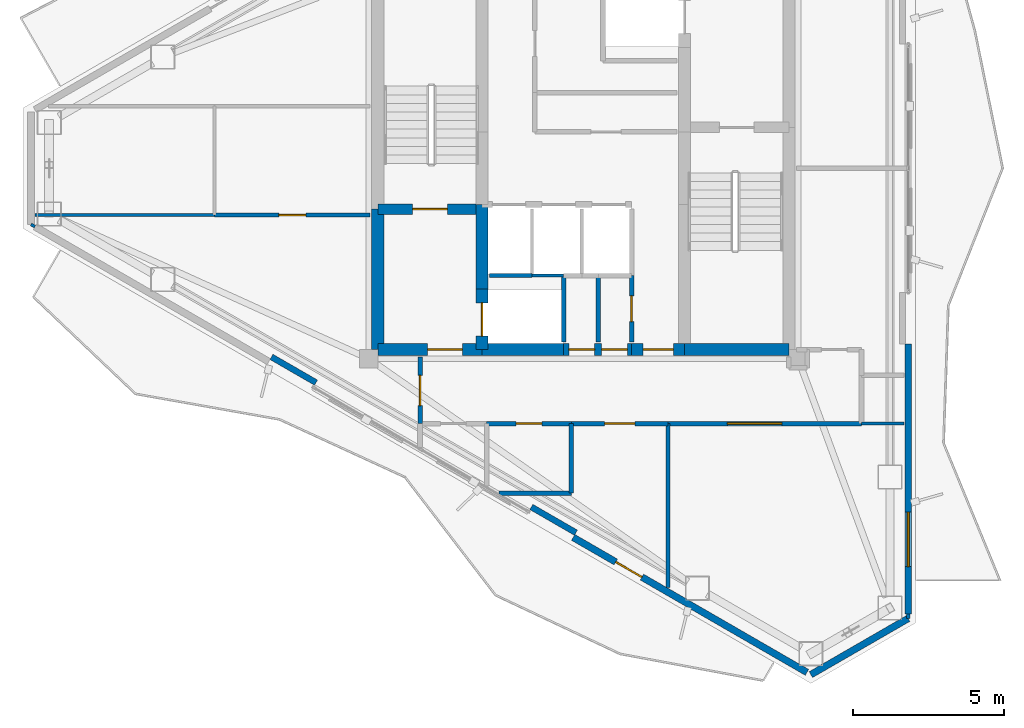
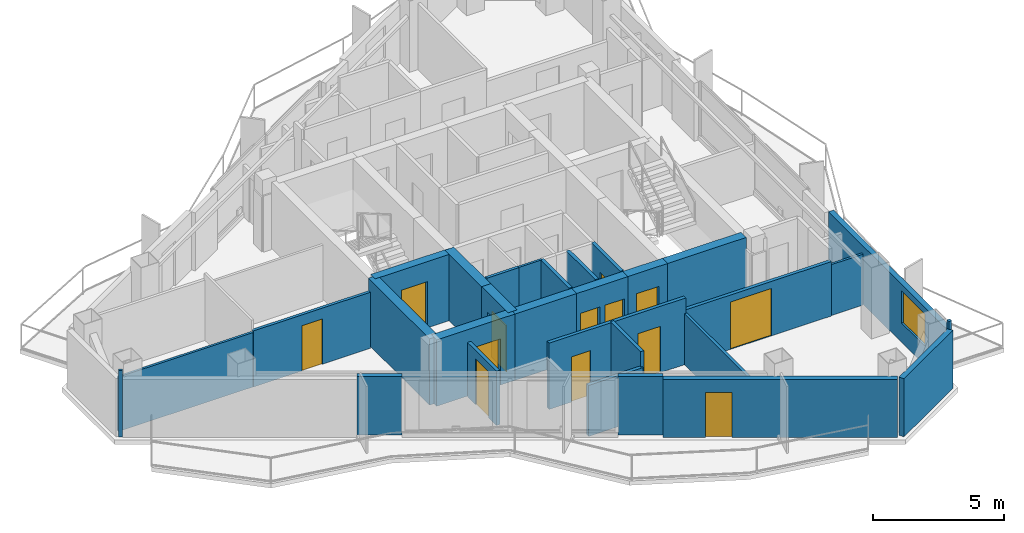
# One storey, part 14 of 18: 31 walls, 13 doors, 1 window, 14 openings.
"""IFC4 building model written with IfcOpenShell, lengths in metres."""

from ifc_helpers import new_model, si_unit, direction, frame, frame_2d, origin, place, context, subcontext, project, spatial, rectangle, extrude, material, layer, layer_set, type_object, element, fill, save


model = new_model("IFC4")

# Units and contexts
model_context = context("Model", 3, precision=1e-05, world=origin(), true_north=direction((0.0, 1.0)))
body_context = subcontext(model_context, "Body", "Model", "MODEL_VIEW")
ifc_project = project(units=[si_unit("LENGTHUNIT", "METRE"), si_unit("AREAUNIT", "SQUARE_METRE"), si_unit("VOLUMEUNIT", "CUBIC_METRE"), si_unit("PLANEANGLEUNIT", "RADIAN"), si_unit("MASSUNIT", "GRAM", prefix="KILO")], contexts=[model_context])

# Site, building, storey
site_placement = place(None, origin())
site = spatial("IfcSite", under=ifc_project, at=site_placement, CompositionType="ELEMENT")
building_placement = place(site_placement, origin())
building = spatial("IfcBuilding", under=site, at=building_placement, Name="Mersakhor Tower and Convention Hall", CompositionType="ELEMENT")
storey_placement = place(building_placement, frame((0.0, 0.0, 233.10009765625)))
storey = spatial("IfcBuildingStorey", under=building, at=storey_placement, Name="L65", CompositionType="ELEMENT", Elevation=233.10009765625)

# Wall
ifc_material_1 = material(Name="Precast concrete C40/50", Category="concrete")
ifc_layer_1 = layer(ifc_material_1, 0.22509765625)
ifc_layer_set_1 = layer_set([ifc_layer_1], Name="Precast concrete C40/50")
wall_type_1 = type_object("IfcWallType", Name="WL-EXT-225", PredefinedType="SOLIDWALL", material=ifc_layer_set_1)
wall_1_placement = place(storey_placement, frame((39.742919921875, 11.858154296875, 0.0), z_axis=(0.0, 0.0, 1.0), x_axis=(-0.866038962515, -0.499976514854, 0.0)))
element("IfcWall", 1, at=wall_1_placement, inside=storey, type_object=wall_type_1, Name="L65 Chamfer Braced Spandrel Wall C2", PredefinedType="SOLIDWALL", context=body_context, shape_type="SweptSolid", body=[
    extrude(rectangle(XDim=3.715576171875, YDim=0.22509765625, at=frame_2d((1.85791015625, 0.0))), origin(), (0.0, 0.0, 1.0), 2.699951171875),
])

# Wall, opening, window
wall_2_placement = place(storey_placement, frame((39.742919921875, 20.93603515625, 0.0), z_axis=(0.0, 0.0, 1.0), x_axis=(0.0, -1.0, 0.0)))
wall_2 = element("IfcWall", 2, at=wall_2_placement, inside=storey, type_object=wall_type_1, Name="L65 Exterior Facade Wall F2-B3", PredefinedType="SOLIDWALL", context=body_context, shape_type="SweptSolid", body=[
    extrude(rectangle(XDim=8.927734375, YDim=0.22509765625, at=frame_2d((4.4638671875, 0.0))), origin(), (0.0, 0.0, 1.0), 2.699951171875),
])
opening_1_placement = place(wall_2_placement, frame((5.56005859375, 0.0, 0.89990234375)))
opening_1 = element("IfcOpeningElement", 3, at=opening_1_placement, cuts=wall_2, Name="Opening W-03", PredefinedType="OPENING", context=body_context, shape_type="SweptSolid", body=[
    extrude(rectangle(XDim=1.800048828125, YDim=1.5, at=frame_2d((0.89990234375, 0.75))), frame((0.0, 0.12255859375, 0.0), z_axis=(0.0, -1.0, 0.0), x_axis=(1.0, 0.0, 0.0)), (0.0, 0.0, 1.0), 0.2451171875),
])
ifc_material_2 = material(Name="Dark solar low-E glazed aluminium window", Category="aluminium")
window_type = type_object("IfcWindowType", Name="WN-RES-180x150", PartitioningType="SINGLE_PANEL", PredefinedType="WINDOW", material=ifc_material_2)
window_placement = place(opening_1_placement, origin())
window = element("IfcWindow", 4, at=window_placement, inside=storey, type_object=window_type, Name="L65 Facade Punched Window F2-B3", OverallHeight=1.5, OverallWidth=1.800048828125, PartitioningType="SINGLE_PANEL", PredefinedType="WINDOW", context=body_context, shape_type="SweptSolid", body=[
    extrude(rectangle(XDim=1.800048828125, YDim=1.5, at=frame_2d((0.89990234375, 0.75))), frame((0.0, 0.030029296875, 0.0), z_axis=(0.0, -1.0, 0.0), x_axis=(1.0, 0.0, 0.0)), (0.0, 0.0, 1.0), 0.06005859375),
])
fill(opening_1, window)

# Wall, opening, door
wall_3_placement = place(storey_placement, frame((36.395263671875, 10.07568359375, 0.0), z_axis=(0.0, 0.0, 1.0), x_axis=(-0.866026655105, 0.499997832642, 0.0)))
wall_3 = element("IfcWall", 5, at=wall_3_placement, inside=storey, type_object=wall_type_1, Name="L65 Exterior Facade Wall F3-B1", PredefinedType="SOLIDWALL", context=body_context, shape_type="SweptSolid", body=[
    extrude(rectangle(XDim=8.927734375, YDim=0.22509765625, at=frame_2d((4.4638671875, 0.0))), origin(), (0.0, 0.0, 1.0), 2.699951171875),
])
opening_2_placement = place(wall_3_placement, frame((6.302001953125, 0.0, 0.0)))
opening_2 = element("IfcOpeningElement", 6, at=opening_2_placement, cuts=wall_3, Name="Opening BD-01", PredefinedType="OPENING", context=body_context, shape_type="SweptSolid", body=[
    extrude(rectangle(XDim=1.0, YDim=2.10009765625, at=frame_2d((0.5, 1.050048828125))), frame((0.0, 0.12255859375, 0.0), z_axis=(0.0, -1.0, 0.0), x_axis=(1.0, 0.0, 0.0)), (0.0, 0.0, 1.0), 0.2451171875),
])
ifc_material_3 = material(Name="Thermally broken dark aluminium and safety glass", Category="aluminium")
door_type_1 = type_object("IfcDoorType", Name="DR-BAL-100x210", OperationType="NOTDEFINED", PredefinedType="DOOR", material=ifc_material_3)
door_1_placement = place(opening_2_placement, origin())
door_1 = element("IfcDoor", 7, at=door_1_placement, inside=storey, type_object=door_type_1, Name="L65 Balcony Terrace Door F3-B1", OperationType="SINGLE_SWING_LEFT", OverallHeight=2.10009765625, OverallWidth=1.0, PredefinedType="DOOR", context=body_context, shape_type="SweptSolid", body=[
    extrude(rectangle(XDim=1.0, YDim=2.10009765625, at=frame_2d((0.5, 1.050048828125))), frame((0.0, 0.02490234375, 0.0), z_axis=(0.0, -1.0, 0.0), x_axis=(1.0, 0.0, 0.0)), (0.0, 0.0, 1.0), 0.050048828125),
])
fill(opening_2, door_1)

# Walls
ifc_material_4 = material(Name="Precast concrete C40/50", Category="concrete")
ifc_layer_2 = layer(ifc_material_4, 0.199951171875)
ifc_layer_set_2 = layer_set([ifc_layer_2], Name="Precast concrete C40/50")
wall_type_2 = type_object("IfcWallType", Name="WL-PAR-200", PredefinedType="PARAPET", material=ifc_layer_set_2)
for number, where, z_axis, x_axis, name in (
    (8, (28.753662109375, 14.6953125, 0.0), (0.0, 0.0, 1.0), (-0.866025371046, 0.500000056704, 0.0), "L65 Column Pier Cladding Wall F3-C1"),
    (9, (20.156005859375, 19.6591796875, 0.0), (0.0, 0.0, 1.0), (-0.866025371046, 0.500000056704, 0.0), "L65 Column Pier Cladding Wall F3-C2"),
):
    element("IfcWall", number, at=place(storey_placement, frame(where, z_axis=z_axis, x_axis=x_axis)), inside=storey, type_object=wall_type_2, Name=name, PredefinedType="PARAPET", context=body_context, shape_type="SweptSolid", body=[
        extrude(rectangle(XDim=1.7001953125, YDim=0.199951171875, at=frame_2d((0.85009765625, 0.0))), origin(), (0.0, 0.0, 1.0), 2.699951171875),
    ])
ifc_material_5 = material(Name="Lightweight gypsum partition", Category="other")
ifc_layer_3 = layer(ifc_material_5, 0.10009765625)
ifc_layer_set_3 = layer_set([ifc_layer_3], Name="Lightweight gypsum partition")
wall_type_3 = type_object("IfcWallType", Name="WL-PRT-100", PredefinedType="PARTITIONING", material=ifc_layer_set_3)
wall_4_placement = place(storey_placement, frame((27.300048828125, 23.199951171875, 0.0), z_axis=(0.0, 0.0, 1.0), x_axis=(1.0, 0.0, 0.0)))
element("IfcWall", 10, at=wall_4_placement, inside=storey, type_object=wall_type_3, Name="L65 Interior Partition Wall P-002", PredefinedType="PARTITIONING", context=body_context, shape_type="SweptSolid", body=[
    extrude(rectangle(XDim=1.050048828125, YDim=0.10009765625, at=frame_2d((0.52490234375, 0.0))), origin(), (0.0, 0.0, 1.0), 3.079833984375),
])
wall_5_placement = place(storey_placement, frame((38.199951171875, 18.300048828125, 0.0), z_axis=(0.0, 0.0, 1.0), x_axis=(1.0, 0.0, 0.0)))
element("IfcWall", 11, at=wall_5_placement, inside=storey, type_object=wall_type_3, Name="L65 Interior Partition Wall P-050", PredefinedType="PARTITIONING", context=body_context, shape_type="SweptSolid", body=[
    extrude(rectangle(XDim=1.40625, YDim=0.10009765625, at=frame_2d((0.703125, 0.0))), origin(), (0.0, 0.0, 1.0), 2.364990234375),
])
wall_6_placement = place(storey_placement, frame((10.868408203125, 25.199951171875, 0.0), z_axis=(0.0, 0.0, 1.0), x_axis=(1.0, 0.0, 0.0)))
element("IfcWall", 12, at=wall_6_placement, inside=storey, type_object=wall_type_3, Name="L65 Interior Partition Wall P-052", PredefinedType="PARTITIONING", context=body_context, shape_type="SweptSolid", body=[
    extrude(rectangle(XDim=5.931640625, YDim=0.10009765625, at=frame_2d((2.9658203125, 0.0))), origin(), (0.0, 0.0, 1.0), 2.5283203125),
])
wall_7_placement = place(storey_placement, frame((10.86181640625, 24.817138671875, 0.0), z_axis=(0.0, 0.0, 1.0), x_axis=(-0.866131372301, 0.499816412211, 0.0)))
element("IfcWall", 13, at=wall_7_placement, inside=storey, type_object=wall_type_3, Name="L65 Interior Partition Wall P-054", PredefinedType="PARTITIONING", context=body_context, shape_type="SweptSolid", body=[
    extrude(rectangle(XDim=0.14990234375, YDim=0.10009765625, at=frame_2d((0.074951171875, 0.0))), origin(), (0.0, 0.0, 1.0), 3.079833984375),
])
ifc_material_6 = material(Name="Gypsum board acoustic partition", Category="other")
ifc_layer_4 = layer(ifc_material_6, 0.125)
ifc_layer_set_4 = layer_set([ifc_layer_4], Name="Gypsum board acoustic partition")
wall_type_4 = type_object("IfcWallType", Name="WL-PRT-125", PredefinedType="PARTITIONING", material=ifc_layer_set_4)
wall_8_placement = place(storey_placement, frame((25.89990234375, 23.199951171875, 0.0), z_axis=(0.0, 0.0, 1.0), x_axis=(1.0, 0.0, 0.0)))
element("IfcWall", 14, at=wall_8_placement, inside=storey, type_object=wall_type_4, Name="L65 Interior Partition Wall P-001", PredefinedType="PARTITIONING", context=body_context, shape_type="SweptSolid", body=[
    extrude(rectangle(XDim=1.400146484375, YDim=0.125, at=frame_2d((0.7001953125, 0.0))), origin(), (0.0, 0.0, 1.0), 3.079833984375),
])
wall_9_placement = place(storey_placement, frame((31.800048828125, 12.88623046875, 0.0), z_axis=(0.0, 0.0, 1.0), x_axis=(0.0, 1.0, 0.0)))
element("IfcWall", 15, at=wall_9_placement, inside=storey, type_object=wall_type_4, Name="L65 Interior Partition Wall P-049", PredefinedType="PARTITIONING", context=body_context, shape_type="SweptSolid", body=[
    extrude(rectangle(XDim=5.413818359375, YDim=0.125, at=frame_2d((2.70703125, 0.0))), origin(), (0.0, 0.0, 1.0), 2.364990234375),
])
wall_10_placement = place(storey_placement, frame((39.742919921875, 12.00830078125, 0.0), z_axis=(0.0, 0.0, 1.0), x_axis=(0.0, -1.0, 0.0)))
element("IfcWall", 16, at=wall_10_placement, inside=storey, type_object=wall_type_4, Name="L65 Interior Partition Wall P-051", PredefinedType="PARTITIONING", context=body_context, shape_type="SweptSolid", body=[
    extrude(rectangle(XDim=0.150390625, YDim=0.125, at=frame_2d((0.0751953125, 0.0))), origin(), (0.0, 0.0, 1.0), 3.079833984375),
])

# Wall, opening, door
wall_11_placement = place(storey_placement, frame((16.800048828125, 25.199951171875, 0.0), z_axis=(0.0, 0.0, 1.0), x_axis=(1.0, 0.0, 0.0)))
wall_11 = element("IfcWall", 17, at=wall_11_placement, inside=storey, type_object=wall_type_4, Name="L65 Interior Partition Wall P-053", PredefinedType="PARTITIONING", context=body_context, shape_type="SweptSolid", body=[
    extrude(rectangle(XDim=5.14990234375, YDim=0.125, at=frame_2d((2.574951171875, 0.0))), origin(), (0.0, 0.0, 1.0), 2.60498046875),
])
opening_3_placement = place(wall_11_placement, frame((2.125, 0.0, 0.0)))
opening_3 = element("IfcOpeningElement", 18, at=opening_3_placement, cuts=wall_11, Name="Opening WD-01", PredefinedType="OPENING", context=body_context, shape_type="SweptSolid", body=[
    extrude(rectangle(XDim=0.89990234375, YDim=2.10009765625, at=frame_2d((0.449951171875, 1.050048828125))), frame((0.0, 0.072509765625, 0.0), z_axis=(0.0, -1.0, 0.0), x_axis=(1.0, 0.0, 0.0)), (0.0, 0.0, 1.0), 0.14501953125),
])
ifc_material_7 = material(Name="Solid-core hardwood leaf in painted steel frame", Category="steel")
door_type_2 = type_object("IfcDoorType", Name="DR-INT-WET-090x210", OperationType="NOTDEFINED", PredefinedType="DOOR", material=ifc_material_7)
door_2_placement = place(opening_3_placement, origin())
door_2 = element("IfcDoor", 19, at=door_2_placement, inside=storey, type_object=door_type_2, Name="L65 L65 West Quiet Focus Room to L65 Floor Shared Tea Pantry 3-3 Door", OperationType="SINGLE_SWING_LEFT", OverallHeight=2.10009765625, OverallWidth=0.89990234375, PredefinedType="DOOR", context=body_context, shape_type="SweptSolid", body=[
    extrude(rectangle(XDim=0.89990234375, YDim=2.10009765625, at=frame_2d((0.449951171875, 1.050048828125))), frame((0.0, 0.02490234375, 0.0), z_axis=(0.0, -1.0, 0.0), x_axis=(1.0, 0.0, 0.0)), (0.0, 0.0, 1.0), 0.050048828125),
])
fill(opening_3, door_2)

# Wall
ifc_material_8 = material(Name="Fire-rated gypsum board stud partition", Category="other")
ifc_layer_5 = layer(ifc_material_8, 0.14990234375)
ifc_layer_set_5 = layer_set([ifc_layer_5], Name="Fire-rated gypsum board stud partition")
wall_type_5 = type_object("IfcWallType", Name="WL-PRT-150", PredefinedType="PARTITIONING", material=ifc_layer_set_5)
wall_12_placement = place(storey_placement, frame((28.35009765625, 23.199951171875, 0.0), z_axis=(0.0, 0.0, 1.0), x_axis=(0.0, -1.0, 0.0)))
element("IfcWall", 20, at=wall_12_placement, inside=storey, type_object=wall_type_5, Name="L65 Interior Partition Wall P-003", PredefinedType="PARTITIONING", context=body_context, shape_type="SweptSolid", body=[
    extrude(rectangle(XDim=2.199951171875, YDim=0.14990234375, at=frame_2d((1.10009765625, 0.0))), origin(), (0.0, 0.0, 1.0), 3.079833984375),
])

# Wall, opening, door
wall_13_placement = place(storey_placement, frame((30.60009765625, 21.0, 0.0), z_axis=(0.0, 0.0, 1.0), x_axis=(0.0, 1.0, 0.0)))
wall_13 = element("IfcWall", 21, at=wall_13_placement, inside=storey, type_object=wall_type_5, Name="L65 Interior Partition Wall P-012", PredefinedType="PARTITIONING", context=body_context, shape_type="SweptSolid", body=[
    extrude(rectangle(XDim=2.199951171875, YDim=0.14990234375, at=frame_2d((1.10009765625, 0.0))), origin(), (0.0, 0.0, 1.0), 3.079833984375),
])
opening_4_placement = place(wall_13_placement, frame((0.675048828125, 0.0, 0.0)))
opening_4 = element("IfcOpeningElement", 22, at=opening_4_placement, cuts=wall_13, Name="Opening SVD-01", PredefinedType="OPENING", context=body_context, shape_type="SweptSolid", body=[
    extrude(rectangle(XDim=0.85009765625, YDim=2.10009765625, at=frame_2d((0.425048828125, 1.050048828125))), frame((0.0, 0.0849609375, 0.0), z_axis=(0.0, -1.0, 0.0), x_axis=(1.0, 0.0, 0.0)), (0.0, 0.0, 1.0), 0.169921875),
])
ifc_material_9 = material(Name="Fire-rated hardwood leaf and painted steel frame", Category="steel")
door_type_3 = type_object("IfcDoorType", Name="DR-INT-SVC-085x210", OperationType="NOTDEFINED", PredefinedType="DOOR", material=ifc_material_9)
door_3_placement = place(opening_4_placement, origin())
door_3 = element("IfcDoor", 23, at=door_3_placement, inside=storey, type_object=door_type_3, Name="L65 Central Passenger Lift Lobby to Cleaner Store Room Door", OperationType="SINGLE_SWING_RIGHT", OverallHeight=2.10009765625, OverallWidth=0.85009765625, PredefinedType="DOOR", context=body_context, shape_type="SweptSolid", body=[
    extrude(rectangle(XDim=0.85009765625, YDim=2.10009765625, at=frame_2d((0.425048828125, 1.050048828125))), frame((0.0, 0.02490234375, 0.0), z_axis=(0.0, -1.0, 0.0), x_axis=(1.0, 0.0, 0.0)), (0.0, 0.0, 1.0), 0.050048828125),
])
fill(opening_4, door_3)

wall_14_placement = place(storey_placement, frame((38.199951171875, 18.300048828125, 0.0), z_axis=(0.0, 0.0, 1.0), x_axis=(-1.0, 0.0, 0.0)))
wall_14 = element("IfcWall", 24, at=wall_14_placement, inside=storey, type_object=wall_type_5, Name="L65 Interior Partition Wall P-032", PredefinedType="PARTITIONING", context=body_context, shape_type="SweptSolid", body=[
    extrude(rectangle(XDim=6.39990234375, YDim=0.14990234375, at=frame_2d((3.199951171875, 0.0))), origin(), (0.0, 0.0, 1.0), 2.5283203125),
])
opening_5_placement = place(wall_14_placement, frame((2.633056640625, 0.0, 0.0)))
opening_5 = element("IfcOpeningElement", 25, at=opening_5_placement, cuts=wall_14, Name="Opening HD-01", PredefinedType="OPENING", context=body_context, shape_type="SweptSolid", body=[
    extrude(rectangle(XDim=1.800048828125, YDim=2.199951171875, at=frame_2d((0.89990234375, 1.10009765625))), frame((0.0, 0.0849609375, 0.0), z_axis=(0.0, -1.0, 0.0), x_axis=(1.0, 0.0, 0.0)), (0.0, 0.0, 1.0), 0.169921875),
])
ifc_material_10 = material(Name="Fire-rated hardwood leaf and painted steel frame", Category="steel")
door_type_4 = type_object("IfcDoorType", Name="DR-INT-HALL-180x220", OperationType="NOTDEFINED", PredefinedType="DOOR", material=ifc_material_10)
door_4_placement = place(opening_5_placement, origin())
door_4 = element("IfcDoor", 26, at=door_4_placement, inside=storey, type_object=door_type_4, Name="L65 Residential South Gallery Corridor to L65 South-East Residents Meeting Room Door", OperationType="DOUBLE_DOOR_SINGLE_SWING", OverallHeight=2.199951171875, OverallWidth=1.800048828125, PredefinedType="DOOR", context=body_context, shape_type="SweptSolid", body=[
    extrude(rectangle(XDim=1.800048828125, YDim=2.199951171875, at=frame_2d((0.89990234375, 1.10009765625))), frame((0.0, 0.02490234375, 0.0), z_axis=(0.0, -1.0, 0.0), x_axis=(1.0, 0.0, 0.0)), (0.0, 0.0, 1.0), 0.050048828125),
])
fill(opening_5, door_4)

wall_15_placement = place(storey_placement, frame((31.800048828125, 18.300048828125, 0.0), z_axis=(0.0, 0.0, 1.0), x_axis=(-1.0, 0.0, 0.0)))
wall_15 = element("IfcWall", 27, at=wall_15_placement, inside=storey, type_object=wall_type_5, Name="L65 Interior Partition Wall P-033", PredefinedType="PARTITIONING", context=body_context, shape_type="SweptSolid", body=[
    extrude(rectangle(XDim=3.199951171875, YDim=0.14990234375, at=frame_2d((1.60009765625, 0.0))), origin(), (0.0, 0.0, 1.0), 3.079833984375),
])
opening_6_placement = place(wall_15_placement, frame((1.10009765625, 0.0, 0.0)))
opening_6 = element("IfcOpeningElement", 28, at=opening_6_placement, cuts=wall_15, Name="Opening FD-01", PredefinedType="OPENING", context=body_context, shape_type="SweptSolid", body=[
    extrude(rectangle(XDim=1.0, YDim=2.14990234375, at=frame_2d((0.5, 1.074951171875))), frame((0.0, 0.0849609375, 0.0), z_axis=(0.0, -1.0, 0.0), x_axis=(1.0, 0.0, 0.0)), (0.0, 0.0, 1.0), 0.169921875),
])
ifc_material_11 = material(Name="Fire-rated hardwood leaf and painted steel frame", Category="steel")
door_type_5 = type_object("IfcDoorType", Name="DR-INT-FLT-100x215", OperationType="NOTDEFINED", PredefinedType="DOOR", material=ifc_material_11)
door_5_placement = place(opening_6_placement, origin())
door_5 = element("IfcDoor", 29, at=door_5_placement, inside=storey, type_object=door_type_5, Name="L65 Residential South Gallery Corridor to L65 Floor Shared Tea Pantry 2-3 Door", OperationType="SINGLE_SWING_LEFT", OverallHeight=2.14990234375, OverallWidth=1.0, PredefinedType="DOOR", context=body_context, shape_type="SweptSolid", body=[
    extrude(rectangle(XDim=1.0, YDim=2.14990234375, at=frame_2d((0.5, 1.074951171875))), frame((0.0, 0.02490234375, 0.0), z_axis=(0.0, -1.0, 0.0), x_axis=(1.0, 0.0, 0.0)), (0.0, 0.0, 1.0), 0.050048828125),
])
fill(opening_6, door_5)

wall_16_placement = place(storey_placement, frame((28.60009765625, 18.300048828125, 0.0), z_axis=(0.0, 0.0, 1.0), x_axis=(-1.0, 0.0, 0.0)))
wall_16 = element("IfcWall", 30, at=wall_16_placement, inside=storey, type_object=wall_type_5, Name="L65 Interior Partition Wall P-034", PredefinedType="PARTITIONING", context=body_context, shape_type="SweptSolid", body=[
    extrude(rectangle(XDim=2.800048828125, YDim=0.14990234375, at=frame_2d((1.39990234375, 0.0))), origin(), (0.0, 0.0, 1.0), 3.079833984375),
])
opening_7_placement = place(wall_16_placement, frame((0.97509765625, 0.0, 0.0)))
opening_7 = element("IfcOpeningElement", 31, at=opening_7_placement, cuts=wall_16, Name="Opening SVD-01", PredefinedType="OPENING", context=body_context, shape_type="SweptSolid", body=[
    extrude(rectangle(XDim=0.85009765625, YDim=2.10009765625, at=frame_2d((0.425048828125, 1.050048828125))), frame((0.0, 0.0849609375, 0.0), z_axis=(0.0, -1.0, 0.0), x_axis=(1.0, 0.0, 0.0)), (0.0, 0.0, 1.0), 0.169921875),
])
door_6_placement = place(opening_7_placement, origin())
door_6 = element("IfcDoor", 32, at=door_6_placement, inside=storey, type_object=door_type_3, Name="L65 Residential South Gallery Corridor to L65 Floor Household Store Room 2-2 Door", OperationType="SINGLE_SWING_RIGHT", OverallHeight=2.10009765625, OverallWidth=0.85009765625, PredefinedType="DOOR", context=body_context, shape_type="SweptSolid", body=[
    extrude(rectangle(XDim=0.85009765625, YDim=2.10009765625, at=frame_2d((0.425048828125, 1.050048828125))), frame((0.0, 0.02490234375, 0.0), z_axis=(0.0, -1.0, 0.0), x_axis=(1.0, 0.0, 0.0)), (0.0, 0.0, 1.0), 0.050048828125),
])
fill(opening_7, door_6)

wall_17_placement = place(storey_placement, frame((23.60009765625, 18.300048828125, 0.0), z_axis=(0.0, 0.0, 1.0), x_axis=(0.0, 1.0, 0.0)))
wall_17 = element("IfcWall", 33, at=wall_17_placement, inside=storey, type_object=wall_type_5, Name="L65 Interior Partition Wall P-036", PredefinedType="PARTITIONING", context=body_context, shape_type="SweptSolid", body=[
    extrude(rectangle(XDim=2.199951171875, YDim=0.14990234375, at=frame_2d((1.10009765625, 0.0))), origin(), (0.0, 0.0, 1.0), 2.5283203125),
])
opening_8_placement = place(wall_17_placement, frame((0.60009765625, 0.0, 0.0)))
opening_8 = element("IfcOpeningElement", 34, at=opening_8_placement, cuts=wall_17, Name="Opening FD-01", PredefinedType="OPENING", context=body_context, shape_type="SweptSolid", body=[
    extrude(rectangle(XDim=1.0, YDim=2.14990234375, at=frame_2d((0.5, 1.074951171875))), frame((0.0, 0.0849609375, 0.0), z_axis=(0.0, -1.0, 0.0), x_axis=(1.0, 0.0, 0.0)), (0.0, 0.0, 1.0), 0.169921875),
])
door_7_placement = place(opening_8_placement, origin())
door_7 = element("IfcDoor", 35, at=door_7_placement, inside=storey, type_object=door_type_5, Name="L65 Residential South Gallery Corridor to L65 West Quiet Focus Room Door", OperationType="SINGLE_SWING_RIGHT", OverallHeight=2.14990234375, OverallWidth=1.0, PredefinedType="DOOR", context=body_context, shape_type="SweptSolid", body=[
    extrude(rectangle(XDim=1.0, YDim=2.14990234375, at=frame_2d((0.5, 1.074951171875))), frame((0.0, 0.02490234375, 0.0), z_axis=(0.0, -1.0, 0.0), x_axis=(1.0, 0.0, 0.0)), (0.0, 0.0, 1.0), 0.050048828125),
])
fill(opening_8, door_7)

# Walls
wall_18_placement = place(storey_placement, frame((29.5, 23.199951171875, 0.0), z_axis=(0.0, 0.0, 1.0), x_axis=(0.0, -1.0, 0.0)))
element("IfcWall", 36, at=wall_18_placement, inside=storey, type_object=wall_type_5, Name="L65 Interior Partition Wall P-045", PredefinedType="PARTITIONING", context=body_context, shape_type="SweptSolid", body=[
    extrude(rectangle(XDim=2.199951171875, YDim=0.14990234375, at=frame_2d((1.10009765625, 0.0))), origin(), (0.0, 0.0, 1.0), 3.079833984375),
])
wall_19_placement = place(storey_placement, frame((28.60009765625, 18.300048828125, 0.0), z_axis=(0.0, 0.0, 1.0), x_axis=(0.0, -1.0, 0.0)))
element("IfcWall", 37, at=wall_19_placement, inside=storey, type_object=wall_type_5, Name="L65 Interior Partition Wall P-062", PredefinedType="PARTITIONING", context=body_context, shape_type="SweptSolid", body=[
    extrude(rectangle(XDim=2.300048828125, YDim=0.14990234375, at=frame_2d((1.14990234375, 0.0))), origin(), (0.0, 0.0, 1.0), 3.079833984375),
])
wall_20_placement = place(storey_placement, frame((28.60009765625, 16.0, 0.0), z_axis=(0.0, 0.0, 1.0), x_axis=(-1.0, 0.0, 0.0)))
element("IfcWall", 38, at=wall_20_placement, inside=storey, type_object=wall_type_5, Name="L65 Interior Partition Wall P-063", PredefinedType="PARTITIONING", context=body_context, shape_type="SweptSolid", body=[
    extrude(rectangle(XDim=2.3935546875, YDim=0.14990234375, at=frame_2d((1.19677734375, 0.0))), origin(), (0.0, 0.0, 1.0), 2.364990234375),
])

# Wall, opening, door
ifc_material_12 = material(Name="Concrete C50/60", Category="concrete")
ifc_layer_6 = layer(ifc_material_12, 0.35009765625)
ifc_layer_set_6 = layer_set([ifc_layer_6], Name="Concrete C50/60")
wall_type_6 = type_object("IfcWallType", Name="WL-SHR-350", PredefinedType="SHEAR", material=ifc_layer_set_6)
wall_21_placement = place(storey_placement, frame((22.199951171875, 25.39990234375, 0.0), z_axis=(0.0, 0.0, 1.0), x_axis=(1.0, 0.0, 0.0)))
wall_21 = element("IfcWall", 39, at=wall_21_placement, inside=storey, type_object=wall_type_6, Name="L65 Core Wall CS-ST1-S", PredefinedType="SHEAR", context=body_context, shape_type="SweptSolid", body=[
    extrude(rectangle(XDim=3.449951171875, YDim=0.35009765625, at=frame_2d((1.72509765625, 0.0))), origin(), (0.0, 0.0, 1.0), 3.079833984375),
])
opening_9_placement = place(wall_21_placement, frame((1.14990234375, 0.0, 0.0)))
opening_9 = element("IfcOpeningElement", 40, at=opening_9_placement, cuts=wall_21, Name="Opening SD-01", PredefinedType="OPENING", context=body_context, shape_type="SweptSolid", body=[
    extrude(rectangle(XDim=1.14990234375, YDim=2.14990234375, at=frame_2d((0.574951171875, 1.074951171875))), frame((0.0, 0.18505859375, 0.0), z_axis=(0.0, -1.0, 0.0), x_axis=(1.0, 0.0, 0.0)), (0.0, 0.0, 1.0), 0.3701171875),
])
ifc_material_13 = material(Name="Fire-rated hardwood leaf and painted steel frame", Category="steel")
door_type_6 = type_object("IfcDoorType", Name="DR-INT-STAIR-115x215", OperationType="NOTDEFINED", PredefinedType="DOOR", material=ifc_material_13)
door_8_placement = place(opening_9_placement, origin())
door_8 = element("IfcDoor", 41, at=door_8_placement, inside=storey, type_object=door_type_6, Name="L65 Exit Stair ST-1 Enclosure Door", OperationType="SINGLE_SWING_LEFT", OverallHeight=2.14990234375, OverallWidth=1.14990234375, PredefinedType="DOOR", context=body_context, shape_type="SweptSolid", body=[
    extrude(rectangle(XDim=1.14990234375, YDim=2.14990234375, at=frame_2d((0.574951171875, 1.074951171875))), frame((0.0, 0.02490234375, 0.0), z_axis=(0.0, -1.0, 0.0), x_axis=(1.0, 0.0, 0.0)), (0.0, 0.0, 1.0), 0.050048828125),
])
fill(opening_9, door_8)

# Walls
ifc_material_14 = material(Name="Concrete C60/75", Category="concrete")
ifc_layer_7 = layer(ifc_material_14, 0.39990234375)
ifc_layer_set_7 = layer_set([ifc_layer_7], Name="Concrete C60/75")
wall_type_7 = type_object("IfcWallType", Name="WL-SHR-400", PredefinedType="SHEAR", material=ifc_layer_set_7)
wall_22_placement = place(storey_placement, frame((22.199951171875, 20.75, 0.0), z_axis=(0.0, 0.0, 1.0), x_axis=(0.0, 1.0, 0.0)))
element("IfcWall", 42, at=wall_22_placement, inside=storey, type_object=wall_type_7, Name="L65 Core Wall CW-W1", PredefinedType="SHEAR", context=body_context, shape_type="SweptSolid", body=[
    extrude(rectangle(XDim=4.64990234375, YDim=0.39990234375, at=frame_2d((2.324951171875, 0.0))), origin(), (0.0, 0.0, 1.0), 3.079833984375),
])
wall_23_placement = place(storey_placement, frame((35.800048828125, 20.75, 0.0), z_axis=(0.0, 0.0, 1.0), x_axis=(-1.0, 0.0, 0.0)))
element("IfcWall", 43, at=wall_23_placement, inside=storey, type_object=wall_type_7, Name="L65 Core Wall CW-S1", PredefinedType="SHEAR", context=body_context, shape_type="SweptSolid", body=[
    extrude(rectangle(XDim=3.449951171875, YDim=0.39990234375, at=frame_2d((1.72509765625, 0.0))), origin(), (0.0, 0.0, 1.0), 3.079833984375),
])

# Wall, opening, door
wall_24_placement = place(storey_placement, frame((32.35009765625, 20.75, 0.0), z_axis=(0.0, 0.0, 1.0), x_axis=(-1.0, 0.0, 0.0)))
wall_24 = element("IfcWall", 44, at=wall_24_placement, inside=storey, type_object=wall_type_7, Name="L65 Core Wall CW-S2A", PredefinedType="SHEAR", context=body_context, shape_type="SweptSolid", body=[
    extrude(rectangle(XDim=1.75, YDim=0.39990234375, at=frame_2d((0.875, 0.0))), origin(), (0.0, 0.0, 1.0), 3.079833984375),
])
opening_10_placement = place(wall_24_placement, frame((0.375, 0.0, 0.0)))
opening_10 = element("IfcOpeningElement", 45, at=opening_10_placement, cuts=wall_24, Name="Opening CFD-01", PredefinedType="OPENING", context=body_context, shape_type="SweptSolid", body=[
    extrude(rectangle(XDim=1.0, YDim=2.14990234375, at=frame_2d((0.5, 1.074951171875))), frame((0.0, 0.2099609375, 0.0), z_axis=(0.0, -1.0, 0.0), x_axis=(1.0, 0.0, 0.0)), (0.0, 0.0, 1.0), 0.419921875),
])
ifc_material_15 = material(Name="Fire-rated hardwood leaf and painted steel frame", Category="steel")
door_type_7 = type_object("IfcDoorType", Name="DR-CORE-FD-100x215", OperationType="NOTDEFINED", PredefinedType="DOOR", material=ifc_material_15)
door_9_placement = place(opening_10_placement, origin())
door_9 = element("IfcDoor", 46, at=door_9_placement, inside=storey, type_object=door_type_7, Name="L65 Lift Lobby South Corridor Door", OperationType="SINGLE_SWING_RIGHT", OverallHeight=2.14990234375, OverallWidth=1.0, PredefinedType="DOOR", context=body_context, shape_type="SweptSolid", body=[
    extrude(rectangle(XDim=1.0, YDim=2.14990234375, at=frame_2d((0.5, 1.074951171875))), frame((0.0, 0.02490234375, 0.0), z_axis=(0.0, -1.0, 0.0), x_axis=(1.0, 0.0, 0.0)), (0.0, 0.0, 1.0), 0.050048828125),
])
fill(opening_10, door_9)

# Wall, openings, doors
wall_25_placement = place(storey_placement, frame((30.60009765625, 20.75, 0.0), z_axis=(0.0, 0.0, 1.0), x_axis=(-1.0, 0.0, 0.0)))
wall_25 = element("IfcWall", 47, at=wall_25_placement, inside=storey, type_object=wall_type_7, Name="L65 Core Wall CW-S2B", PredefinedType="SHEAR", context=body_context, shape_type="SweptSolid", body=[
    extrude(rectangle(XDim=2.25, YDim=0.39990234375, at=frame_2d((1.125, 0.0))), origin(), (0.0, 0.0, 1.0), 3.079833984375),
])
opening_11_placement = place(wall_25_placement, frame((1.22998046875, 0.0, 0.0)))
opening_11 = element("IfcOpeningElement", 48, at=opening_11_placement, cuts=wall_25, Name="Opening SVD-01", PredefinedType="OPENING", context=body_context, shape_type="SweptSolid", body=[
    extrude(rectangle(XDim=0.85009765625, YDim=2.10009765625, at=frame_2d((0.425048828125, 1.050048828125))), frame((0.0, 0.2099609375, 0.0), z_axis=(0.0, -1.0, 0.0), x_axis=(1.0, 0.0, 0.0)), (0.0, 0.0, 1.0), 0.419921875),
])
opening_12_placement = place(wall_25_placement, frame((0.14501953125, 0.0, 0.0)))
opening_12 = element("IfcOpeningElement", 49, at=opening_12_placement, cuts=wall_25, Name="Opening SVD-01", PredefinedType="OPENING", context=body_context, shape_type="SweptSolid", body=[
    extrude(rectangle(XDim=0.85009765625, YDim=2.10009765625, at=frame_2d((0.425048828125, 1.050048828125))), frame((0.0, 0.2099609375, 0.0), z_axis=(0.0, -1.0, 0.0), x_axis=(1.0, 0.0, 0.0)), (0.0, 0.0, 1.0), 0.419921875),
])
door_10_placement = place(opening_11_placement, origin())
door_10 = element("IfcDoor", 50, at=door_10_placement, inside=storey, type_object=door_type_3, Name="L65 Residential South Gallery Corridor to Mechanical Valve Plant Room Door", OperationType="SINGLE_SWING_LEFT", OverallHeight=2.10009765625, OverallWidth=0.85009765625, PredefinedType="DOOR", context=body_context, shape_type="SweptSolid", body=[
    extrude(rectangle(XDim=0.85009765625, YDim=2.10009765625, at=frame_2d((0.425048828125, 1.050048828125))), frame((0.0, 0.02490234375, 0.0), z_axis=(0.0, -1.0, 0.0), x_axis=(1.0, 0.0, 0.0)), (0.0, 0.0, 1.0), 0.050048828125),
])
fill(opening_11, door_10)
door_11_placement = place(opening_12_placement, origin())
door_11 = element("IfcDoor", 51, at=door_11_placement, inside=storey, type_object=door_type_3, Name="L65 Residential South Gallery Corridor to Cleaner Store Room Door", OperationType="SINGLE_SWING_RIGHT", OverallHeight=2.10009765625, OverallWidth=0.85009765625, PredefinedType="DOOR", context=body_context, shape_type="SweptSolid", body=[
    extrude(rectangle(XDim=0.85009765625, YDim=2.10009765625, at=frame_2d((0.425048828125, 1.050048828125))), frame((0.0, 0.02490234375, 0.0), z_axis=(0.0, -1.0, 0.0), x_axis=(1.0, 0.0, 0.0)), (0.0, 0.0, 1.0), 0.050048828125),
])
fill(opening_12, door_11)

# Wall
wall_26_placement = place(storey_placement, frame((28.35009765625, 20.75, 0.0), z_axis=(0.0, 0.0, 1.0), x_axis=(-1.0, 0.0, 0.0)))
element("IfcWall", 52, at=wall_26_placement, inside=storey, type_object=wall_type_7, Name="L65 Core Wall CW-S3", PredefinedType="SHEAR", context=body_context, shape_type="SweptSolid", body=[
    extrude(rectangle(XDim=2.7001953125, YDim=0.39990234375, at=frame_2d((1.35009765625, 0.0))), origin(), (0.0, 0.0, 1.0), 3.079833984375),
])

# Wall, opening, door
wall_27_placement = place(storey_placement, frame((25.64990234375, 20.75, 0.0), z_axis=(0.0, 0.0, 1.0), x_axis=(-1.0, 0.0, 0.0)))
wall_27 = element("IfcWall", 53, at=wall_27_placement, inside=storey, type_object=wall_type_7, Name="L65 Core Wall CW-S4", PredefinedType="SHEAR", context=body_context, shape_type="SweptSolid", body=[
    extrude(rectangle(XDim=3.449951171875, YDim=0.39990234375, at=frame_2d((1.72509765625, 0.0))), origin(), (0.0, 0.0, 1.0), 3.079833984375),
])
opening_13_placement = place(wall_27_placement, frame((0.64990234375, 0.0, 0.0)))
opening_13 = element("IfcOpeningElement", 54, at=opening_13_placement, cuts=wall_27, Name="Opening SD-01", PredefinedType="OPENING", context=body_context, shape_type="SweptSolid", body=[
    extrude(rectangle(XDim=1.14990234375, YDim=2.14990234375, at=frame_2d((0.574951171875, 1.074951171875))), frame((0.0, 0.2099609375, 0.0), z_axis=(0.0, -1.0, 0.0), x_axis=(1.0, 0.0, 0.0)), (0.0, 0.0, 1.0), 0.419921875),
])
door_12_placement = place(opening_13_placement, origin())
door_12 = element("IfcDoor", 55, at=door_12_placement, inside=storey, type_object=door_type_6, Name="L65 Firefighting Lobby West Fire Door", OperationType="SINGLE_SWING_LEFT", OverallHeight=2.14990234375, OverallWidth=1.14990234375, PredefinedType="DOOR", context=body_context, shape_type="SweptSolid", body=[
    extrude(rectangle(XDim=1.14990234375, YDim=2.14990234375, at=frame_2d((0.574951171875, 1.074951171875))), frame((0.0, 0.02490234375, 0.0), z_axis=(0.0, -1.0, 0.0), x_axis=(1.0, 0.0, 0.0)), (0.0, 0.0, 1.0), 0.050048828125),
])
fill(opening_13, door_12)

wall_28_placement = place(storey_placement, frame((25.64990234375, 20.75, 0.0), z_axis=(0.0, 0.0, 1.0), x_axis=(0.0, 1.0, 0.0)))
wall_28 = element("IfcWall", 56, at=wall_28_placement, inside=storey, type_object=wall_type_7, Name="L65 Core Wall CS-W-FFL", PredefinedType="SHEAR", context=body_context, shape_type="SweptSolid", body=[
    extrude(rectangle(XDim=2.0, YDim=0.39990234375, at=frame_2d((1.0, 0.0))), origin(), (0.0, 0.0, 1.0), 3.079833984375),
])
opening_14_placement = place(wall_28_placement, frame((0.449951171875, 0.0, 0.0)))
opening_14 = element("IfcOpeningElement", 57, at=opening_14_placement, cuts=wall_28, Name="Opening LD-FFL1", PredefinedType="OPENING", context=body_context, shape_type="SweptSolid", body=[
    extrude(rectangle(XDim=1.10009765625, YDim=2.14990234375, at=frame_2d((0.550048828125, 1.074951171875))), frame((0.0, 0.2099609375, 0.0), z_axis=(0.0, -1.0, 0.0), x_axis=(1.0, 0.0, 0.0)), (0.0, 0.0, 1.0), 0.419921875),
])
ifc_material_16 = material(Name="Fire-rated brushed stainless steel sliding landing door", Category="steel")
door_type_8 = type_object("IfcDoorType", Name="DR-LIFT-SLD-110x215", OperationType="NOTDEFINED", PredefinedType="DOOR", material=ifc_material_16)
door_13_placement = place(opening_14_placement, origin())
door_13 = element("IfcDoor", 58, at=door_13_placement, inside=storey, type_object=door_type_8, Name="L65 Firefighting Lift Landing Door LD-FFL1", OperationType="SLIDING_TO_LEFT", OverallHeight=2.14990234375, OverallWidth=1.10009765625, PredefinedType="DOOR", context=body_context, shape_type="SweptSolid", body=[
    extrude(rectangle(XDim=1.10009765625, YDim=2.14990234375, at=frame_2d((0.550048828125, 1.074951171875))), frame((0.0, 0.02490234375, 0.0), z_axis=(0.0, -1.0, 0.0), x_axis=(1.0, 0.0, 0.0)), (0.0, 0.0, 1.0), 0.050048828125),
])
fill(opening_14, door_13)

# Wall
wall_29_placement = place(storey_placement, frame((25.64990234375, 22.75, 0.0), z_axis=(0.0, 0.0, 1.0), x_axis=(0.0, 1.0, 0.0)))
element("IfcWall", 59, at=wall_29_placement, inside=storey, type_object=wall_type_7, Name="L65 Core Wall CS-W-MID", PredefinedType="SHEAR", context=body_context, shape_type="SweptSolid", body=[
    extrude(rectangle(XDim=2.800048828125, YDim=0.39990234375, at=frame_2d((1.39990234375, 0.0))), origin(), (0.0, 0.0, 1.0), 3.079833984375),
])

save(model, "model.ifc")
